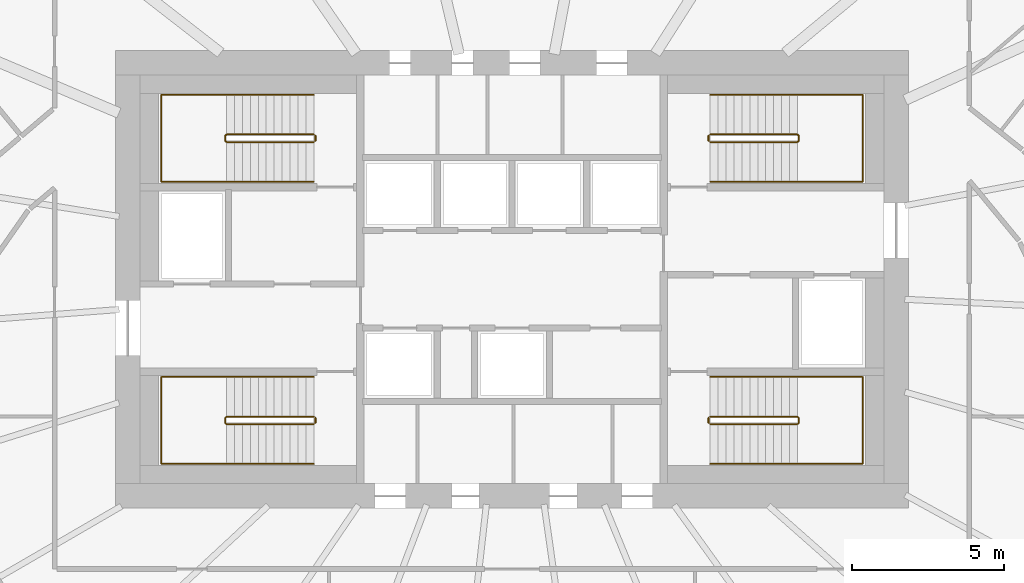
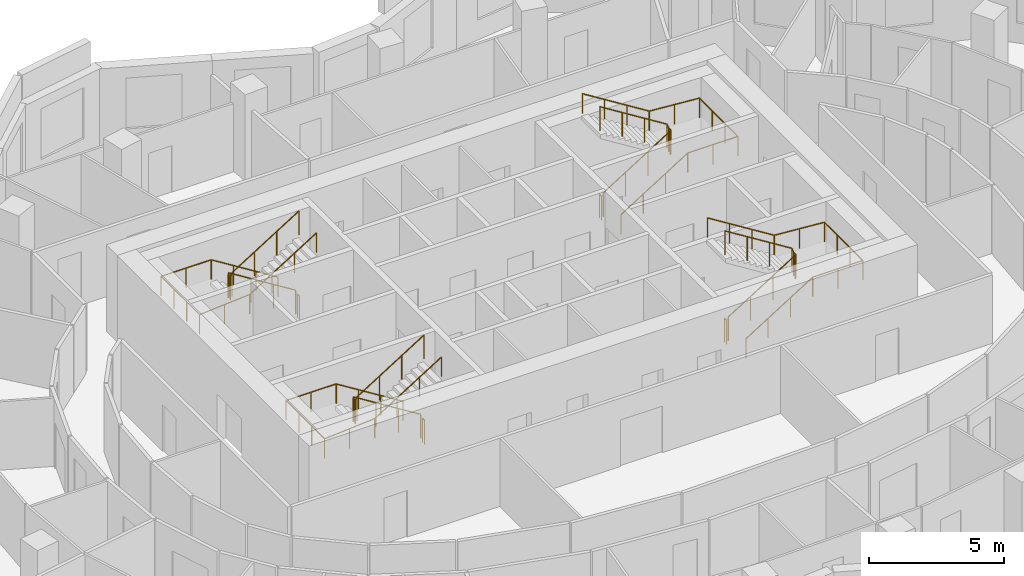
# One storey, part 11 of 11: 12 railings.
"""IFC4 building model written with IfcOpenShell, lengths in metres."""

from ifc_helpers import new_model, si_unit, direction, frame, origin, origin_2d, place, context, subcontext, project, spatial, circle, extrude, material, type_object, element, save


model = new_model("IFC4")

# Units and contexts
model_context = context("Model", 3, precision=1e-05, world=origin(), true_north=direction((0.0, 1.0)))
body_context = subcontext(model_context, "Body", "Model", "MODEL_VIEW")
ifc_project = project(units=[si_unit("LENGTHUNIT", "METRE"), si_unit("AREAUNIT", "SQUARE_METRE"), si_unit("VOLUMEUNIT", "CUBIC_METRE"), si_unit("PLANEANGLEUNIT", "RADIAN"), si_unit("MASSUNIT", "GRAM", prefix="KILO")], contexts=[model_context])

# Site, building, storey
site_placement = place(None, origin())
site = spatial("IfcSite", under=ifc_project, at=site_placement, CompositionType="ELEMENT")
building_placement = place(site_placement, origin())
building = spatial("IfcBuilding", under=site, at=building_placement, Name="Rubra Terraces Tower", CompositionType="ELEMENT")
storey_placement = place(building_placement, frame((0.0, 0.0, 197.39990234375)))
storey = spatial("IfcBuildingStorey", under=building, at=storey_placement, Name="L48", CompositionType="ELEMENT", Elevation=197.39990234375)

# Railings
ifc_material = material(Name="Stainless steel", Category="steel")
railing_type_1 = type_object("IfcRailingType", Name="Core stair guard 1100", PredefinedType="GUARDRAIL", material=ifc_material)
railing_1_placement = place(storey_placement, frame((-6.5, 0.0, 0.16259765625)))
element("IfcRailing", 1, at=railing_1_placement, inside=storey, type_object=railing_type_1, Name="L48 stair S1 guard 1", PredefinedType="GUARDRAIL", context=body_context, shape_type="SweptSolid", body=[
    extrude(circle(Radius=0.02392578125, at=origin_2d()), frame((0.0, 0.0, 1.076171875), z_axis=(-0.847994237388, 0.0, 0.530005446535), x_axis=(0.0, -1.0, 0.0)), (0.0, 0.0, 1.0), 3.372802734375),
    extrude(circle(Radius=0.02392578125, at=origin_2d()), frame((-2.860107421875, 0.0, 2.86376953125), z_axis=(-0.705375805398, -0.708833529934, 0.0), x_axis=(0.708833529934, -0.705375805398, 0.0)), (0.0, 0.0, 1.0), 0.070556640625),
    extrude(circle(Radius=0.02392578125, at=origin_2d()), frame((-2.909912109375, -0.050048828125, 2.86376953125), z_axis=(0.0, -1.0, 0.0), x_axis=(1.0, 0.0, 0.0)), (0.0, 0.0, 1.0), 0.14990234375),
    extrude(circle(Radius=0.02392578125, at=origin_2d()), frame((-2.909912109375, -0.199951171875, 2.86376953125), z_axis=(0.281314826061, -0.282693820306, 0.917031173188), x_axis=(0.708833529934, 0.705375805398, 0.0)), (0.0, 0.0, 1.0), 0.177001953125),
    extrude(circle(Radius=0.02392578125, at=origin_2d()), frame((-2.860107421875, -0.25, 3.02587890625), z_axis=(0.847994237388, 0.0, 0.530005446535), x_axis=(0.0, 1.0, 0.0)), (0.0, 0.0, 1.0), 3.372802734375),
    extrude(circle(Radius=0.02099609375, at=origin_2d()), origin(), (0.0, 0.0, 1.0), 1.052001953125),
    extrude(circle(Radius=0.02099609375, at=origin_2d()), frame((-0.953369140625, 0.0, 0.595947265625)), (0.0, 0.0, 1.0), 1.052001953125),
    extrude(circle(Radius=0.02099609375, at=origin_2d()), frame((-1.90673828125, 0.0, 1.191650390625)), (0.0, 0.0, 1.0), 1.052001953125),
    extrude(circle(Radius=0.02099609375, at=origin_2d()), frame((-2.860107421875, 0.0, 1.78759765625)), (0.0, 0.0, 1.0), 1.052001953125),
    extrude(circle(Radius=0.02099609375, at=origin_2d()), frame((-2.909912109375, -0.050048828125, 1.78759765625)), (0.0, 0.0, 1.0), 1.052001953125),
    extrude(circle(Radius=0.02099609375, at=origin_2d()), frame((-2.909912109375, -0.199951171875, 1.78759765625)), (0.0, 0.0, 1.0), 1.052001953125),
    extrude(circle(Radius=0.02099609375, at=origin_2d()), frame((-2.860107421875, -0.25, 1.949951171875)), (0.0, 0.0, 1.0), 1.052001953125),
    extrude(circle(Radius=0.02099609375, at=origin_2d()), frame((-1.90673828125, -0.25, 2.5458984375)), (0.0, 0.0, 1.0), 1.052001953125),
    extrude(circle(Radius=0.02099609375, at=origin_2d()), frame((-0.953369140625, -0.25, 3.1416015625)), (0.0, 0.0, 1.0), 1.052001953125),
    extrude(circle(Radius=0.02099609375, at=origin_2d()), frame((0.0, -0.25, 3.737548828125)), (0.0, 0.0, 1.0), 1.052001953125),
])
railing_2_placement = place(storey_placement, frame((-6.449951171875, -0.050048828125, 0.0)))
element("IfcRailing", 2, at=railing_2_placement, inside=storey, type_object=railing_type_1, Name="L48 stair S1 guard 2", PredefinedType="GUARDRAIL", context=body_context, shape_type="SweptSolid", body=[
    extrude(circle(Radius=0.02392578125, at=origin_2d()), frame((0.0, 0.0, 1.076171875), z_axis=(0.0, -1.0, 0.0), x_axis=(1.0, 0.0, 0.0)), (0.0, 0.0, 1.0), 0.14990234375),
    extrude(circle(Radius=0.02099609375, at=origin_2d()), origin(), (0.0, 0.0, 1.0), 1.052001953125),
    extrude(circle(Radius=0.02099609375, at=origin_2d()), frame((0.0, -0.14990234375, 0.0)), (0.0, 0.0, 1.0), 1.052001953125),
])
railing_3_placement = place(storey_placement, frame((-6.5, 9.25, 0.16259765625)))
element("IfcRailing", 3, at=railing_3_placement, inside=storey, type_object=railing_type_1, Name="L48 stair S2 guard 1", PredefinedType="GUARDRAIL", context=body_context, shape_type="SweptSolid", body=[
    extrude(circle(Radius=0.02392578125, at=origin_2d()), frame((0.0, 0.0, 1.076171875), z_axis=(-0.847994237388, 0.0, 0.530005446535), x_axis=(0.0, -1.0, 0.0)), (0.0, 0.0, 1.0), 3.372802734375),
    extrude(circle(Radius=0.02392578125, at=origin_2d()), frame((-2.860107421875, 0.0, 2.86376953125), z_axis=(-0.705375805398, -0.708833529934, 0.0), x_axis=(0.708833529934, -0.705375805398, 0.0)), (0.0, 0.0, 1.0), 0.070556640625),
    extrude(circle(Radius=0.02392578125, at=origin_2d()), frame((-2.909912109375, -0.050048828125, 2.86376953125), z_axis=(0.0, -1.0, 0.0), x_axis=(1.0, 0.0, 0.0)), (0.0, 0.0, 1.0), 0.14990234375),
    extrude(circle(Radius=0.02392578125, at=origin_2d()), frame((-2.909912109375, -0.199951171875, 2.86376953125), z_axis=(0.281314826061, -0.282693820306, 0.917031173188), x_axis=(0.708833529934, 0.705375805398, 0.0)), (0.0, 0.0, 1.0), 0.177001953125),
    extrude(circle(Radius=0.02392578125, at=origin_2d()), frame((-2.860107421875, -0.25, 3.02587890625), z_axis=(0.847994237388, 0.0, 0.530005446535), x_axis=(0.0, 1.0, 0.0)), (0.0, 0.0, 1.0), 3.372802734375),
    extrude(circle(Radius=0.02099609375, at=origin_2d()), origin(), (0.0, 0.0, 1.0), 1.052001953125),
    extrude(circle(Radius=0.02099609375, at=origin_2d()), frame((-0.953369140625, 0.0, 0.595947265625)), (0.0, 0.0, 1.0), 1.052001953125),
    extrude(circle(Radius=0.02099609375, at=origin_2d()), frame((-1.90673828125, 0.0, 1.191650390625)), (0.0, 0.0, 1.0), 1.052001953125),
    extrude(circle(Radius=0.02099609375, at=origin_2d()), frame((-2.860107421875, 0.0, 1.78759765625)), (0.0, 0.0, 1.0), 1.052001953125),
    extrude(circle(Radius=0.02099609375, at=origin_2d()), frame((-2.909912109375, -0.050048828125, 1.78759765625)), (0.0, 0.0, 1.0), 1.052001953125),
    extrude(circle(Radius=0.02099609375, at=origin_2d()), frame((-2.909912109375, -0.199951171875, 1.78759765625)), (0.0, 0.0, 1.0), 1.052001953125),
    extrude(circle(Radius=0.02099609375, at=origin_2d()), frame((-2.860107421875, -0.25, 1.949951171875)), (0.0, 0.0, 1.0), 1.052001953125),
    extrude(circle(Radius=0.02099609375, at=origin_2d()), frame((-1.90673828125, -0.25, 2.5458984375)), (0.0, 0.0, 1.0), 1.052001953125),
    extrude(circle(Radius=0.02099609375, at=origin_2d()), frame((-0.953369140625, -0.25, 3.1416015625)), (0.0, 0.0, 1.0), 1.052001953125),
    extrude(circle(Radius=0.02099609375, at=origin_2d()), frame((0.0, -0.25, 3.737548828125)), (0.0, 0.0, 1.0), 1.052001953125),
])
railing_4_placement = place(storey_placement, frame((-6.449951171875, 9.199951171875, 0.0)))
element("IfcRailing", 4, at=railing_4_placement, inside=storey, type_object=railing_type_1, Name="L48 stair S2 guard 2", PredefinedType="GUARDRAIL", context=body_context, shape_type="SweptSolid", body=[
    extrude(circle(Radius=0.02392578125, at=origin_2d()), frame((0.0, 0.0, 1.076171875), z_axis=(0.0, -1.0, 0.0), x_axis=(1.0, 0.0, 0.0)), (0.0, 0.0, 1.0), 0.14990234375),
    extrude(circle(Radius=0.02099609375, at=origin_2d()), origin(), (0.0, 0.0, 1.0), 1.052001953125),
    extrude(circle(Radius=0.02099609375, at=origin_2d()), frame((0.0, -0.14990234375, 0.0)), (0.0, 0.0, 1.0), 1.052001953125),
])
railing_5_placement = place(storey_placement, frame((6.5, 9.0, 0.16259765625)))
element("IfcRailing", 5, at=railing_5_placement, inside=storey, type_object=railing_type_1, Name="L48 stair S3 guard 1", PredefinedType="GUARDRAIL", context=body_context, shape_type="SweptSolid", body=[
    extrude(circle(Radius=0.02392578125, at=origin_2d()), frame((0.0, 0.0, 1.076171875), z_axis=(0.847994237388, 0.0, 0.530005446535), x_axis=(0.0, 1.0, 0.0)), (0.0, 0.0, 1.0), 3.372802734375),
    extrude(circle(Radius=0.02392578125, at=origin_2d()), frame((2.860107421875, 0.0, 2.86376953125), z_axis=(0.705375805398, 0.708833529934, 0.0), x_axis=(-0.708833529934, 0.705375805398, 0.0)), (0.0, 0.0, 1.0), 0.070556640625),
    extrude(circle(Radius=0.02392578125, at=origin_2d()), frame((2.909912109375, 0.050048828125, 2.86376953125), z_axis=(0.0, 1.0, 0.0), x_axis=(-1.0, 0.0, 0.0)), (0.0, 0.0, 1.0), 0.14990234375),
    extrude(circle(Radius=0.02392578125, at=origin_2d()), frame((2.909912109375, 0.199951171875, 2.86376953125), z_axis=(-0.281314826061, 0.282693820306, 0.917031173188), x_axis=(-0.708833529934, -0.705375805398, 0.0)), (0.0, 0.0, 1.0), 0.177001953125),
    extrude(circle(Radius=0.02392578125, at=origin_2d()), frame((2.860107421875, 0.25, 3.02587890625), z_axis=(-0.847994237388, 0.0, 0.530005446535), x_axis=(0.0, -1.0, 0.0)), (0.0, 0.0, 1.0), 3.372802734375),
    extrude(circle(Radius=0.02099609375, at=origin_2d()), origin(), (0.0, 0.0, 1.0), 1.052001953125),
    extrude(circle(Radius=0.02099609375, at=origin_2d()), frame((0.953369140625, 0.0, 0.595947265625)), (0.0, 0.0, 1.0), 1.052001953125),
    extrude(circle(Radius=0.02099609375, at=origin_2d()), frame((1.90673828125, 0.0, 1.191650390625)), (0.0, 0.0, 1.0), 1.052001953125),
    extrude(circle(Radius=0.02099609375, at=origin_2d()), frame((2.860107421875, 0.0, 1.78759765625)), (0.0, 0.0, 1.0), 1.052001953125),
    extrude(circle(Radius=0.02099609375, at=origin_2d()), frame((2.909912109375, 0.050048828125, 1.78759765625)), (0.0, 0.0, 1.0), 1.052001953125),
    extrude(circle(Radius=0.02099609375, at=origin_2d()), frame((2.909912109375, 0.199951171875, 1.78759765625)), (0.0, 0.0, 1.0), 1.052001953125),
    extrude(circle(Radius=0.02099609375, at=origin_2d()), frame((2.860107421875, 0.25, 1.949951171875)), (0.0, 0.0, 1.0), 1.052001953125),
    extrude(circle(Radius=0.02099609375, at=origin_2d()), frame((1.90673828125, 0.25, 2.5458984375)), (0.0, 0.0, 1.0), 1.052001953125),
    extrude(circle(Radius=0.02099609375, at=origin_2d()), frame((0.953369140625, 0.25, 3.1416015625)), (0.0, 0.0, 1.0), 1.052001953125),
    extrude(circle(Radius=0.02099609375, at=origin_2d()), frame((0.0, 0.25, 3.737548828125)), (0.0, 0.0, 1.0), 1.052001953125),
])
railing_6_placement = place(storey_placement, frame((6.449951171875, 9.050048828125, 0.0)))
element("IfcRailing", 6, at=railing_6_placement, inside=storey, type_object=railing_type_1, Name="L48 stair S3 guard 2", PredefinedType="GUARDRAIL", context=body_context, shape_type="SweptSolid", body=[
    extrude(circle(Radius=0.02392578125, at=origin_2d()), frame((0.0, 0.0, 1.076171875), z_axis=(0.0, 1.0, 0.0), x_axis=(-1.0, 0.0, 0.0)), (0.0, 0.0, 1.0), 0.14990234375),
    extrude(circle(Radius=0.02099609375, at=origin_2d()), origin(), (0.0, 0.0, 1.0), 1.052001953125),
    extrude(circle(Radius=0.02099609375, at=origin_2d()), frame((0.0, 0.14990234375, 0.0)), (0.0, 0.0, 1.0), 1.052001953125),
])
railing_7_placement = place(storey_placement, frame((6.5, -0.25, 0.16259765625)))
element("IfcRailing", 7, at=railing_7_placement, inside=storey, type_object=railing_type_1, Name="L48 stair S4 guard 1", PredefinedType="GUARDRAIL", context=body_context, shape_type="SweptSolid", body=[
    extrude(circle(Radius=0.02392578125, at=origin_2d()), frame((0.0, 0.0, 1.076171875), z_axis=(0.847994237388, 0.0, 0.530005446535), x_axis=(0.0, 1.0, 0.0)), (0.0, 0.0, 1.0), 3.372802734375),
    extrude(circle(Radius=0.02392578125, at=origin_2d()), frame((2.860107421875, 0.0, 2.86376953125), z_axis=(0.705375805398, 0.708833529934, 0.0), x_axis=(-0.708833529934, 0.705375805398, 0.0)), (0.0, 0.0, 1.0), 0.070556640625),
    extrude(circle(Radius=0.02392578125, at=origin_2d()), frame((2.909912109375, 0.050048828125, 2.86376953125), z_axis=(0.0, 1.0, 0.0), x_axis=(-1.0, 0.0, 0.0)), (0.0, 0.0, 1.0), 0.14990234375),
    extrude(circle(Radius=0.02392578125, at=origin_2d()), frame((2.909912109375, 0.199951171875, 2.86376953125), z_axis=(-0.281314826061, 0.282693820306, 0.917031173188), x_axis=(-0.708833529934, -0.705375805398, 0.0)), (0.0, 0.0, 1.0), 0.177001953125),
    extrude(circle(Radius=0.02392578125, at=origin_2d()), frame((2.860107421875, 0.25, 3.02587890625), z_axis=(-0.847994237388, 0.0, 0.530005446535), x_axis=(0.0, -1.0, 0.0)), (0.0, 0.0, 1.0), 3.372802734375),
    extrude(circle(Radius=0.02099609375, at=origin_2d()), origin(), (0.0, 0.0, 1.0), 1.052001953125),
    extrude(circle(Radius=0.02099609375, at=origin_2d()), frame((0.953369140625, 0.0, 0.595947265625)), (0.0, 0.0, 1.0), 1.052001953125),
    extrude(circle(Radius=0.02099609375, at=origin_2d()), frame((1.90673828125, 0.0, 1.191650390625)), (0.0, 0.0, 1.0), 1.052001953125),
    extrude(circle(Radius=0.02099609375, at=origin_2d()), frame((2.860107421875, 0.0, 1.78759765625)), (0.0, 0.0, 1.0), 1.052001953125),
    extrude(circle(Radius=0.02099609375, at=origin_2d()), frame((2.909912109375, 0.050048828125, 1.78759765625)), (0.0, 0.0, 1.0), 1.052001953125),
    extrude(circle(Radius=0.02099609375, at=origin_2d()), frame((2.909912109375, 0.199951171875, 1.78759765625)), (0.0, 0.0, 1.0), 1.052001953125),
    extrude(circle(Radius=0.02099609375, at=origin_2d()), frame((2.860107421875, 0.25, 1.949951171875)), (0.0, 0.0, 1.0), 1.052001953125),
    extrude(circle(Radius=0.02099609375, at=origin_2d()), frame((1.90673828125, 0.25, 2.5458984375)), (0.0, 0.0, 1.0), 1.052001953125),
    extrude(circle(Radius=0.02099609375, at=origin_2d()), frame((0.953369140625, 0.25, 3.1416015625)), (0.0, 0.0, 1.0), 1.052001953125),
    extrude(circle(Radius=0.02099609375, at=origin_2d()), frame((0.0, 0.25, 3.737548828125)), (0.0, 0.0, 1.0), 1.052001953125),
])
railing_8_placement = place(storey_placement, frame((6.449951171875, -0.199951171875, 0.0)))
element("IfcRailing", 8, at=railing_8_placement, inside=storey, type_object=railing_type_1, Name="L48 stair S4 guard 2", PredefinedType="GUARDRAIL", context=body_context, shape_type="SweptSolid", body=[
    extrude(circle(Radius=0.02392578125, at=origin_2d()), frame((0.0, 0.0, 1.076171875), z_axis=(0.0, 1.0, 0.0), x_axis=(-1.0, 0.0, 0.0)), (0.0, 0.0, 1.0), 0.14990234375),
    extrude(circle(Radius=0.02099609375, at=origin_2d()), origin(), (0.0, 0.0, 1.0), 1.052001953125),
    extrude(circle(Radius=0.02099609375, at=origin_2d()), frame((0.0, 0.14990234375, 0.0)), (0.0, 0.0, 1.0), 1.052001953125),
])
railing_type_2 = type_object("IfcRailingType", Name="Core stair handrail 900", PredefinedType="HANDRAIL", material=ifc_material)
railing_9_placement = place(storey_placement, frame((-6.5, 1.300048828125, 0.16259765625)))
element("IfcRailing", 9, at=railing_9_placement, inside=storey, type_object=railing_type_2, Name="L48 stair S1 handrail 1", PredefinedType="HANDRAIL", context=body_context, shape_type="SweptSolid", body=[
    extrude(circle(Radius=0.02392578125, at=origin_2d()), frame((0.0, 0.0, 0.8759765625), z_axis=(-0.847994237388, 0.0, 0.530005446535), x_axis=(0.0, -1.0, 0.0)), (0.0, 0.0, 1.0), 3.372802734375),
    extrude(circle(Radius=0.02392578125, at=origin_2d()), frame((-2.860107421875, 0.0, 2.66357421875), z_axis=(-1.0, 0.0, 0.0), x_axis=(0.0, -1.0, 0.0)), (0.0, 0.0, 1.0), 2.139892578125),
    extrude(circle(Radius=0.02392578125, at=origin_2d()), frame((-5.0, 0.0, 2.66357421875), z_axis=(0.0, -1.0, 0.0), x_axis=(1.0, 0.0, 0.0)), (0.0, 0.0, 1.0), 2.85009765625),
    extrude(circle(Radius=0.02392578125, at=origin_2d()), frame((-5.0, -2.85009765625, 2.66357421875), z_axis=(0.9971342424, 0.0, 0.075652512401), x_axis=(0.0, 1.0, 0.0)), (0.0, 0.0, 1.0), 2.14599609375),
    extrude(circle(Radius=0.02392578125, at=origin_2d()), frame((-2.860107421875, -2.85009765625, 2.82568359375), z_axis=(0.847994237388, 0.0, 0.530005446535), x_axis=(0.0, 1.0, 0.0)), (0.0, 0.0, 1.0), 3.372802734375),
    extrude(circle(Radius=0.02099609375, at=origin_2d()), origin(), (0.0, 0.0, 1.0), 0.851806640625),
    extrude(circle(Radius=0.02099609375, at=origin_2d()), frame((-0.953369140625, 0.0, 0.595947265625)), (0.0, 0.0, 1.0), 0.851806640625),
    extrude(circle(Radius=0.02099609375, at=origin_2d()), frame((-1.90673828125, 0.0, 1.191650390625)), (0.0, 0.0, 1.0), 0.851806640625),
    extrude(circle(Radius=0.02099609375, at=origin_2d()), frame((-2.860107421875, 0.0, 1.78759765625)), (0.0, 0.0, 1.0), 0.851806640625),
    extrude(circle(Radius=0.02099609375, at=origin_2d()), frame((-3.93017578125, 0.0, 1.78759765625)), (0.0, 0.0, 1.0), 0.851806640625),
    extrude(circle(Radius=0.02099609375, at=origin_2d()), frame((-5.0, 0.0, 1.78759765625)), (0.0, 0.0, 1.0), 0.851806640625),
    extrude(circle(Radius=0.02099609375, at=origin_2d()), frame((-5.0, -0.949951171875, 1.78759765625)), (0.0, 0.0, 1.0), 0.851806640625),
    extrude(circle(Radius=0.02099609375, at=origin_2d()), frame((-5.0, -1.900146484375, 1.78759765625)), (0.0, 0.0, 1.0), 0.851806640625),
    extrude(circle(Radius=0.02099609375, at=origin_2d()), frame((-5.0, -2.85009765625, 1.78759765625)), (0.0, 0.0, 1.0), 0.851806640625),
    extrude(circle(Radius=0.02099609375, at=origin_2d()), frame((-3.93017578125, -2.85009765625, 1.86865234375)), (0.0, 0.0, 1.0), 0.851806640625),
    extrude(circle(Radius=0.02099609375, at=origin_2d()), frame((-2.860107421875, -2.85009765625, 1.949951171875)), (0.0, 0.0, 1.0), 0.851806640625),
    extrude(circle(Radius=0.02099609375, at=origin_2d()), frame((-1.90673828125, -2.85009765625, 2.5458984375)), (0.0, 0.0, 1.0), 0.851806640625),
    extrude(circle(Radius=0.02099609375, at=origin_2d()), frame((-0.953369140625, -2.85009765625, 3.1416015625)), (0.0, 0.0, 1.0), 0.851806640625),
    extrude(circle(Radius=0.02099609375, at=origin_2d()), frame((0.0, -2.85009765625, 3.737548828125)), (0.0, 0.0, 1.0), 0.851806640625),
])
railing_10_placement = place(storey_placement, frame((-6.5, 10.550048828125, 0.16259765625)))
element("IfcRailing", 10, at=railing_10_placement, inside=storey, type_object=railing_type_2, Name="L48 stair S2 handrail 1", PredefinedType="HANDRAIL", context=body_context, shape_type="SweptSolid", body=[
    extrude(circle(Radius=0.02392578125, at=origin_2d()), frame((0.0, 0.0, 0.8759765625), z_axis=(-0.847994237388, 0.0, 0.530005446535), x_axis=(0.0, -1.0, 0.0)), (0.0, 0.0, 1.0), 3.372802734375),
    extrude(circle(Radius=0.02392578125, at=origin_2d()), frame((-2.860107421875, 0.0, 2.66357421875), z_axis=(-1.0, 0.0, 0.0), x_axis=(0.0, -1.0, 0.0)), (0.0, 0.0, 1.0), 2.139892578125),
    extrude(circle(Radius=0.02392578125, at=origin_2d()), frame((-5.0, 0.0, 2.66357421875), z_axis=(0.0, -1.0, 0.0), x_axis=(1.0, 0.0, 0.0)), (0.0, 0.0, 1.0), 2.85009765625),
    extrude(circle(Radius=0.02392578125, at=origin_2d()), frame((-5.0, -2.85009765625, 2.66357421875), z_axis=(0.9971342424, 0.0, 0.075652512401), x_axis=(0.0, 1.0, 0.0)), (0.0, 0.0, 1.0), 2.14599609375),
    extrude(circle(Radius=0.02392578125, at=origin_2d()), frame((-2.860107421875, -2.85009765625, 2.82568359375), z_axis=(0.847994237388, 0.0, 0.530005446535), x_axis=(0.0, 1.0, 0.0)), (0.0, 0.0, 1.0), 3.372802734375),
    extrude(circle(Radius=0.02099609375, at=origin_2d()), origin(), (0.0, 0.0, 1.0), 0.851806640625),
    extrude(circle(Radius=0.02099609375, at=origin_2d()), frame((-0.953369140625, 0.0, 0.595947265625)), (0.0, 0.0, 1.0), 0.851806640625),
    extrude(circle(Radius=0.02099609375, at=origin_2d()), frame((-1.90673828125, 0.0, 1.191650390625)), (0.0, 0.0, 1.0), 0.851806640625),
    extrude(circle(Radius=0.02099609375, at=origin_2d()), frame((-2.860107421875, 0.0, 1.78759765625)), (0.0, 0.0, 1.0), 0.851806640625),
    extrude(circle(Radius=0.02099609375, at=origin_2d()), frame((-3.93017578125, 0.0, 1.78759765625)), (0.0, 0.0, 1.0), 0.851806640625),
    extrude(circle(Radius=0.02099609375, at=origin_2d()), frame((-5.0, 0.0, 1.78759765625)), (0.0, 0.0, 1.0), 0.851806640625),
    extrude(circle(Radius=0.02099609375, at=origin_2d()), frame((-5.0, -0.949951171875, 1.78759765625)), (0.0, 0.0, 1.0), 0.851806640625),
    extrude(circle(Radius=0.02099609375, at=origin_2d()), frame((-5.0, -1.900146484375, 1.78759765625)), (0.0, 0.0, 1.0), 0.851806640625),
    extrude(circle(Radius=0.02099609375, at=origin_2d()), frame((-5.0, -2.85009765625, 1.78759765625)), (0.0, 0.0, 1.0), 0.851806640625),
    extrude(circle(Radius=0.02099609375, at=origin_2d()), frame((-3.93017578125, -2.85009765625, 1.86865234375)), (0.0, 0.0, 1.0), 0.851806640625),
    extrude(circle(Radius=0.02099609375, at=origin_2d()), frame((-2.860107421875, -2.85009765625, 1.949951171875)), (0.0, 0.0, 1.0), 0.851806640625),
    extrude(circle(Radius=0.02099609375, at=origin_2d()), frame((-1.90673828125, -2.85009765625, 2.5458984375)), (0.0, 0.0, 1.0), 0.851806640625),
    extrude(circle(Radius=0.02099609375, at=origin_2d()), frame((-0.953369140625, -2.85009765625, 3.1416015625)), (0.0, 0.0, 1.0), 0.851806640625),
    extrude(circle(Radius=0.02099609375, at=origin_2d()), frame((0.0, -2.85009765625, 3.737548828125)), (0.0, 0.0, 1.0), 0.851806640625),
])
railing_11_placement = place(storey_placement, frame((6.5, 7.699951171875, 0.16259765625)))
element("IfcRailing", 11, at=railing_11_placement, inside=storey, type_object=railing_type_2, Name="L48 stair S3 handrail 1", PredefinedType="HANDRAIL", context=body_context, shape_type="SweptSolid", body=[
    extrude(circle(Radius=0.02392578125, at=origin_2d()), frame((0.0, 0.0, 0.8759765625), z_axis=(0.847994237388, 0.0, 0.530005446535), x_axis=(0.0, 1.0, 0.0)), (0.0, 0.0, 1.0), 3.372802734375),
    extrude(circle(Radius=0.02392578125, at=origin_2d()), frame((2.860107421875, 0.0, 2.66357421875), z_axis=(1.0, 0.0, 0.0), x_axis=(0.0, 1.0, 0.0)), (0.0, 0.0, 1.0), 2.139892578125),
    extrude(circle(Radius=0.02392578125, at=origin_2d()), frame((5.0, 0.0, 2.66357421875), z_axis=(0.0, 1.0, 0.0), x_axis=(-1.0, 0.0, 0.0)), (0.0, 0.0, 1.0), 2.85009765625),
    extrude(circle(Radius=0.02392578125, at=origin_2d()), frame((5.0, 2.85009765625, 2.66357421875), z_axis=(-0.9971342424, 0.0, 0.075652512401), x_axis=(0.0, -1.0, 0.0)), (0.0, 0.0, 1.0), 2.14599609375),
    extrude(circle(Radius=0.02392578125, at=origin_2d()), frame((2.860107421875, 2.85009765625, 2.82568359375), z_axis=(-0.847994237388, 0.0, 0.530005446535), x_axis=(0.0, -1.0, 0.0)), (0.0, 0.0, 1.0), 3.372802734375),
    extrude(circle(Radius=0.02099609375, at=origin_2d()), origin(), (0.0, 0.0, 1.0), 0.851806640625),
    extrude(circle(Radius=0.02099609375, at=origin_2d()), frame((0.953369140625, 0.0, 0.595947265625)), (0.0, 0.0, 1.0), 0.851806640625),
    extrude(circle(Radius=0.02099609375, at=origin_2d()), frame((1.90673828125, 0.0, 1.191650390625)), (0.0, 0.0, 1.0), 0.851806640625),
    extrude(circle(Radius=0.02099609375, at=origin_2d()), frame((2.860107421875, 0.0, 1.78759765625)), (0.0, 0.0, 1.0), 0.851806640625),
    extrude(circle(Radius=0.02099609375, at=origin_2d()), frame((3.93017578125, 0.0, 1.78759765625)), (0.0, 0.0, 1.0), 0.851806640625),
    extrude(circle(Radius=0.02099609375, at=origin_2d()), frame((5.0, 0.0, 1.78759765625)), (0.0, 0.0, 1.0), 0.851806640625),
    extrude(circle(Radius=0.02099609375, at=origin_2d()), frame((5.0, 0.949951171875, 1.78759765625)), (0.0, 0.0, 1.0), 0.851806640625),
    extrude(circle(Radius=0.02099609375, at=origin_2d()), frame((5.0, 1.900146484375, 1.78759765625)), (0.0, 0.0, 1.0), 0.851806640625),
    extrude(circle(Radius=0.02099609375, at=origin_2d()), frame((5.0, 2.85009765625, 1.78759765625)), (0.0, 0.0, 1.0), 0.851806640625),
    extrude(circle(Radius=0.02099609375, at=origin_2d()), frame((3.93017578125, 2.85009765625, 1.86865234375)), (0.0, 0.0, 1.0), 0.851806640625),
    extrude(circle(Radius=0.02099609375, at=origin_2d()), frame((2.860107421875, 2.85009765625, 1.949951171875)), (0.0, 0.0, 1.0), 0.851806640625),
    extrude(circle(Radius=0.02099609375, at=origin_2d()), frame((1.90673828125, 2.85009765625, 2.5458984375)), (0.0, 0.0, 1.0), 0.851806640625),
    extrude(circle(Radius=0.02099609375, at=origin_2d()), frame((0.953369140625, 2.85009765625, 3.1416015625)), (0.0, 0.0, 1.0), 0.851806640625),
    extrude(circle(Radius=0.02099609375, at=origin_2d()), frame((0.0, 2.85009765625, 3.737548828125)), (0.0, 0.0, 1.0), 0.851806640625),
])
railing_12_placement = place(storey_placement, frame((6.5, -1.550048828125, 0.16259765625)))
element("IfcRailing", 12, at=railing_12_placement, inside=storey, type_object=railing_type_2, Name="L48 stair S4 handrail 1", PredefinedType="HANDRAIL", context=body_context, shape_type="SweptSolid", body=[
    extrude(circle(Radius=0.02392578125, at=origin_2d()), frame((0.0, 0.0, 0.8759765625), z_axis=(0.847994237388, 0.0, 0.530005446535), x_axis=(0.0, 1.0, 0.0)), (0.0, 0.0, 1.0), 3.372802734375),
    extrude(circle(Radius=0.02392578125, at=origin_2d()), frame((2.860107421875, 0.0, 2.66357421875), z_axis=(1.0, 0.0, 0.0), x_axis=(0.0, 1.0, 0.0)), (0.0, 0.0, 1.0), 2.139892578125),
    extrude(circle(Radius=0.02392578125, at=origin_2d()), frame((5.0, 0.0, 2.66357421875), z_axis=(0.0, 1.0, 0.0), x_axis=(-1.0, 0.0, 0.0)), (0.0, 0.0, 1.0), 2.85009765625),
    extrude(circle(Radius=0.02392578125, at=origin_2d()), frame((5.0, 2.85009765625, 2.66357421875), z_axis=(-0.9971342424, 0.0, 0.075652512401), x_axis=(0.0, -1.0, 0.0)), (0.0, 0.0, 1.0), 2.14599609375),
    extrude(circle(Radius=0.02392578125, at=origin_2d()), frame((2.860107421875, 2.85009765625, 2.82568359375), z_axis=(-0.847994237388, 0.0, 0.530005446535), x_axis=(0.0, -1.0, 0.0)), (0.0, 0.0, 1.0), 3.372802734375),
    extrude(circle(Radius=0.02099609375, at=origin_2d()), origin(), (0.0, 0.0, 1.0), 0.851806640625),
    extrude(circle(Radius=0.02099609375, at=origin_2d()), frame((0.953369140625, 0.0, 0.595947265625)), (0.0, 0.0, 1.0), 0.851806640625),
    extrude(circle(Radius=0.02099609375, at=origin_2d()), frame((1.90673828125, 0.0, 1.191650390625)), (0.0, 0.0, 1.0), 0.851806640625),
    extrude(circle(Radius=0.02099609375, at=origin_2d()), frame((2.860107421875, 0.0, 1.78759765625)), (0.0, 0.0, 1.0), 0.851806640625),
    extrude(circle(Radius=0.02099609375, at=origin_2d()), frame((3.93017578125, 0.0, 1.78759765625)), (0.0, 0.0, 1.0), 0.851806640625),
    extrude(circle(Radius=0.02099609375, at=origin_2d()), frame((5.0, 0.0, 1.78759765625)), (0.0, 0.0, 1.0), 0.851806640625),
    extrude(circle(Radius=0.02099609375, at=origin_2d()), frame((5.0, 0.949951171875, 1.78759765625)), (0.0, 0.0, 1.0), 0.851806640625),
    extrude(circle(Radius=0.02099609375, at=origin_2d()), frame((5.0, 1.900146484375, 1.78759765625)), (0.0, 0.0, 1.0), 0.851806640625),
    extrude(circle(Radius=0.02099609375, at=origin_2d()), frame((5.0, 2.85009765625, 1.78759765625)), (0.0, 0.0, 1.0), 0.851806640625),
    extrude(circle(Radius=0.02099609375, at=origin_2d()), frame((3.93017578125, 2.85009765625, 1.86865234375)), (0.0, 0.0, 1.0), 0.851806640625),
    extrude(circle(Radius=0.02099609375, at=origin_2d()), frame((2.860107421875, 2.85009765625, 1.949951171875)), (0.0, 0.0, 1.0), 0.851806640625),
    extrude(circle(Radius=0.02099609375, at=origin_2d()), frame((1.90673828125, 2.85009765625, 2.5458984375)), (0.0, 0.0, 1.0), 0.851806640625),
    extrude(circle(Radius=0.02099609375, at=origin_2d()), frame((0.953369140625, 2.85009765625, 3.1416015625)), (0.0, 0.0, 1.0), 0.851806640625),
    extrude(circle(Radius=0.02099609375, at=origin_2d()), frame((0.0, 2.85009765625, 3.737548828125)), (0.0, 0.0, 1.0), 0.851806640625),
])

save(model, "model.ifc")
